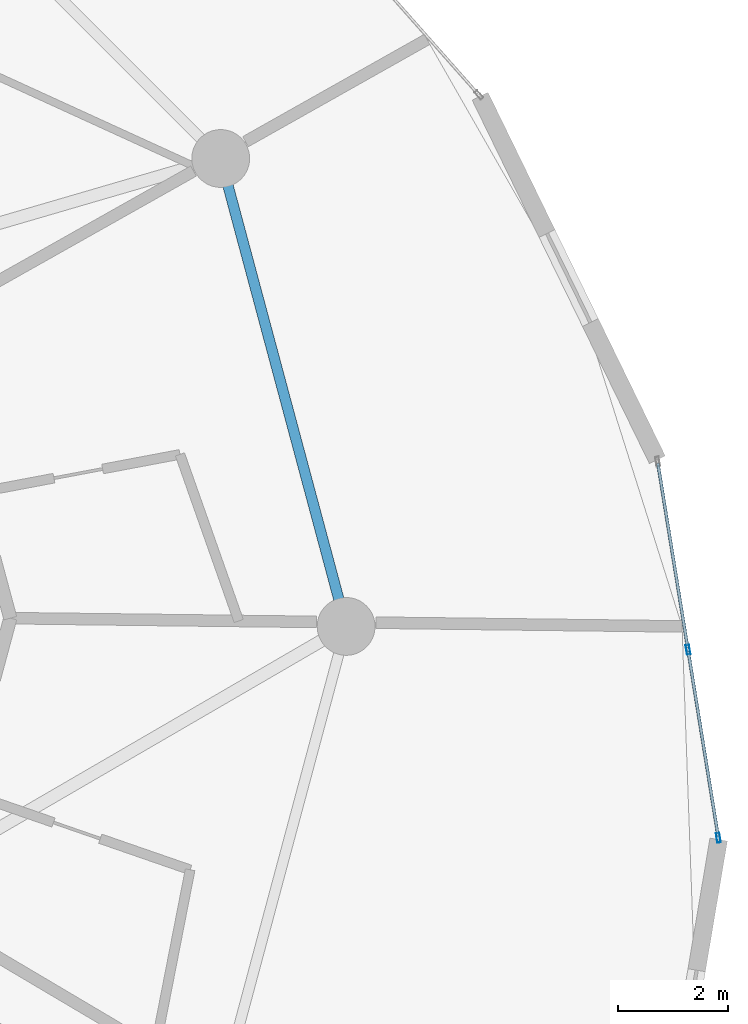
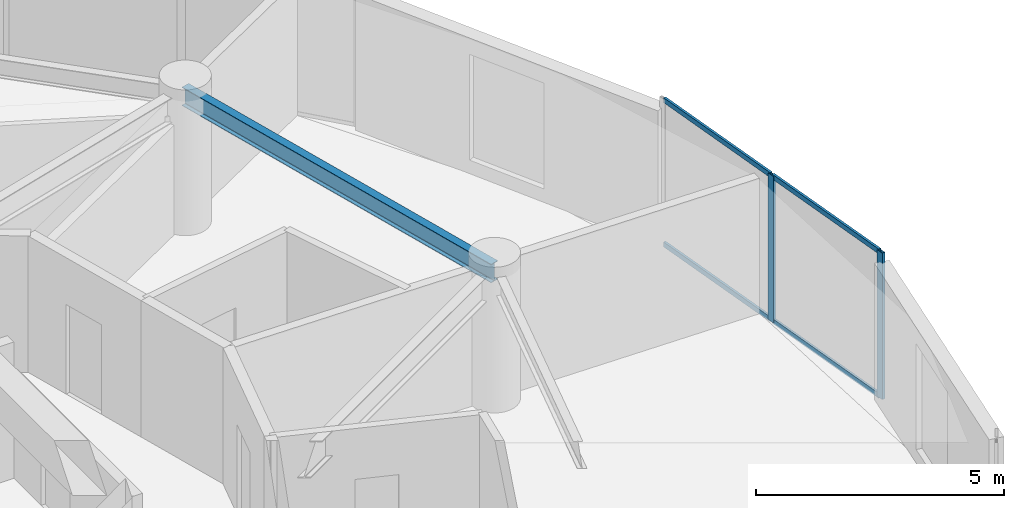
# One storey, part 8 of 20: 6 members, 1 beam, 1 element without a shape of its own.
"""IFC4 building model written with IfcOpenShell, lengths in metres."""

from ifc_helpers import new_model, si_unit, direction, frame, origin, origin_2d, place, context, subcontext, project, spatial, hollow_rectangle, i_section, extrude, source, transform, mapped, material, layer, layer_set, material_profile, profile_set, type_object, element, aggregate, save


model = new_model("IFC4")

# Units and contexts
model_context = context("Model", 3, precision=1e-05, world=origin(), true_north=direction((0.0, 1.0)))
body_context = subcontext(model_context, "Body", "Model", "MODEL_VIEW")
ifc_project = project(units=[si_unit("LENGTHUNIT", "METRE"), si_unit("AREAUNIT", "SQUARE_METRE"), si_unit("VOLUMEUNIT", "CUBIC_METRE"), si_unit("PLANEANGLEUNIT", "RADIAN"), si_unit("MASSUNIT", "GRAM", prefix="KILO")], contexts=[model_context])

# Site, building, storey
site_placement = place(None, origin())
site = spatial("IfcSite", under=ifc_project, at=site_placement, CompositionType="ELEMENT")
building_placement = place(site_placement, origin())
building = spatial("IfcBuilding", under=site, at=building_placement, Name="Solvirekh Grand Hotel", CompositionType="ELEMENT")
storey_placement = place(building_placement, frame((0.0, 0.0, 135.0)))
storey = spatial("IfcBuildingStorey", under=building, at=storey_placement, Name="L34", CompositionType="ELEMENT", Elevation=135.0)

# Beam
ifc_material_1 = material(Name="Steel S355", Category="steel")
ifc_material_profile_1 = material_profile(ifc_material_1, i_section(OverallWidth=0.18994140625, OverallDepth=0.45703125, WebThickness=0.009033203125, FlangeThickness=0.013916015625, FilletRadius=0.012939453125, at=origin_2d()), Name="W460X74")
ifc_profile_set_1 = profile_set([ifc_material_profile_1], Name="Steel S355")
beam_type = type_object("IfcBeamType", Name="Spandrel_Ring_W460", PredefinedType="SPANDREL", material=ifc_profile_set_1)
beam_placement = place(storey_placement, frame((17.0, 0.0, 3.12109375), z_axis=(-0.258872908946, 0.965911391906, 0.0), x_axis=(-0.965911391906, -0.258872908946, 0.0)))
element("IfcBeam", 1, at=beam_placement, inside=storey, type_object=beam_type, Name="L34 perimeter spandrel beam 1", PredefinedType="SPANDREL", context=body_context, shape_type="SweptSolid", body=[
    extrude(i_section(OverallWidth=0.18994140625, OverallDepth=0.45703125, WebThickness=0.009033203125, FlangeThickness=0.013916015625, FilletRadius=0.012939453125, at=origin_2d()), origin(), (0.0, 0.0, 1.0), 8.800048828125),
])

# Curtain wall, members
ifc_material_2 = material(Name="Anodized Bronze Aluminium 6063-T6", Category="aluminium")
ifc_layer = layer(ifc_material_2, 0.175048828125)
ifc_layer_set = layer_set([ifc_layer], Name="Anodized Bronze Aluminium 6063-T6")
curtain_wall_type = type_object("IfcCurtainWallType", Name="CW_Sys3_MidZoneFlushBronzeCW", PredefinedType="NOTDEFINED", material=ifc_layer_set)
curtain_wall_placement = place(storey_placement, origin())
curtain_wall = element("IfcCurtainWall", 2, at=curtain_wall_placement, inside=storey, type_object=curtain_wall_type, Name="L34 unitised bronze-glass curtain wall CW-L34-C03", PredefinedType="NOTDEFINED")
ifc_material_profile_2 = material_profile(ifc_material_2, hollow_rectangle(XDim=0.054931640625, YDim=0.1201171875, WallThickness=0.00390625, at=origin_2d()), Name="ALU RHS 120X55X4")
ifc_profile_set_2 = profile_set([ifc_material_profile_2], Name="Anodized Bronze Aluminium 6063-T6")
member_type_1 = type_object("IfcMemberType", Name="CWTransom_Sys3", PredefinedType="USERDEFINED", material=ifc_profile_set_2)
shared_shape_1 = source(origin(), body_context, "Body", "SweptSolid", [
    extrude(hollow_rectangle(XDim=0.054931640625, YDim=0.1201171875, WallThickness=0.00390625, at=origin_2d()), origin(), (0.0, 0.0, 1.0), 3.397216796875),
])
member_1_placement = place(storey_placement, frame((23.757568359375, -3.807861328125, 0.027587890625), z_axis=(-0.159537451158, 0.987191876829, 0.0), x_axis=(-0.987191876829, -0.159537451158, 0.0)))
member_1 = element("IfcMember", 3, at=member_1_placement, type_object=member_type_1, Name="U03 transom 1.1", ObjectType="TRANSOM", PredefinedType="USERDEFINED", context=body_context, shape_type="MappedRepresentation", body=[
    mapped(shared_shape_1, transform((0.0, 0.0, 0.0), x_axis=(1.0, 0.0, 0.0), y_axis=(0.0, 1.0, 0.0), z_axis=(0.0, 0.0, 1.0), scale=1.0)),
])
member_2_placement = place(storey_placement, frame((23.757568359375, -3.807861328125, 3.572509765625), z_axis=(-0.159537451158, 0.987191876829, 0.0), x_axis=(-0.987191876829, -0.159537451158, 0.0)))
member_2 = element("IfcMember", 4, at=member_2_placement, type_object=member_type_1, Name="U03 transom 1.2", ObjectType="TRANSOM", PredefinedType="USERDEFINED", context=body_context, shape_type="MappedRepresentation", body=[
    mapped(shared_shape_1, transform((0.0, 0.0, 0.0), x_axis=(1.0, 0.0, 0.0), y_axis=(0.0, 1.0, 0.0), z_axis=(0.0, 0.0, 1.0), scale=1.0)),
])
member_3_placement = place(storey_placement, frame((23.205322265625, -0.389892578125, 0.027587890625), z_axis=(-0.159537451158, 0.987191876829, 0.0), x_axis=(-0.987191876829, -0.159537451158, 0.0)))
member_3 = element("IfcMember", 5, at=member_3_placement, type_object=member_type_1, Name="U03 transom 2.1", ObjectType="TRANSOM", PredefinedType="USERDEFINED", context=body_context, shape_type="MappedRepresentation", body=[
    mapped(shared_shape_1, transform((0.0, 0.0, 0.0), x_axis=(1.0, 0.0, 0.0), y_axis=(0.0, 1.0, 0.0), z_axis=(0.0, 0.0, 1.0), scale=1.0)),
])
member_4_placement = place(storey_placement, frame((23.205322265625, -0.389892578125, 3.572509765625), z_axis=(-0.159537451158, 0.987191876829, 0.0), x_axis=(-0.987191876829, -0.159537451158, 0.0)))
member_4 = element("IfcMember", 6, at=member_4_placement, type_object=member_type_1, Name="U03 transom 2.2", ObjectType="TRANSOM", PredefinedType="USERDEFINED", context=body_context, shape_type="MappedRepresentation", body=[
    mapped(shared_shape_1, transform((0.0, 0.0, 0.0), x_axis=(1.0, 0.0, 0.0), y_axis=(0.0, 1.0, 0.0), z_axis=(0.0, 0.0, 1.0), scale=1.0)),
])
ifc_material_profile_3 = material_profile(ifc_material_2, hollow_rectangle(XDim=0.06494140625, YDim=0.175048828125, WallThickness=0.0048828125, at=origin_2d()), Name="ALU RHS 175X65X5")
ifc_profile_set_3 = profile_set([ifc_material_profile_3], Name="Anodized Bronze Aluminium 6063-T6")
member_type_2 = type_object("IfcMemberType", Name="CWMullion_Sys3", PredefinedType="MULLION", material=ifc_profile_set_3)
shared_shape_2 = source(origin(), body_context, "Body", "SweptSolid", [
    extrude(hollow_rectangle(XDim=0.06494140625, YDim=0.175048828125, WallThickness=0.0048828125, at=origin_2d()), origin(), (0.0, 0.0, 1.0), 3.60009765625),
])
member_5_placement = place(storey_placement, frame((23.7626953125, -3.83984375, 0.0), z_axis=(0.0, 0.0, 1.0), x_axis=(-0.987193918935, -0.159524814429, 0.0)))
member_5 = element("IfcMember", 7, at=member_5_placement, type_object=member_type_2, Name="U03 mullion 1", PredefinedType="MULLION", context=body_context, shape_type="MappedRepresentation", body=[
    mapped(shared_shape_2, transform((0.0, 0.0, 0.0), x_axis=(1.0, 0.0, 0.0), y_axis=(0.0, 1.0, 0.0), z_axis=(0.0, 0.0, 1.0), scale=1.0)),
])
member_6_placement = place(storey_placement, frame((23.21044921875, -0.422119140625, 0.0), z_axis=(0.0, 0.0, 1.0), x_axis=(-0.987193918935, -0.159524814429, 0.0)))
member_6 = element("IfcMember", 8, at=member_6_placement, type_object=member_type_2, Name="U03 mullion 2", PredefinedType="MULLION", context=body_context, shape_type="MappedRepresentation", body=[
    mapped(shared_shape_2, transform((0.0, 0.0, 0.0), x_axis=(1.0, 0.0, 0.0), y_axis=(0.0, 1.0, 0.0), z_axis=(0.0, 0.0, 1.0), scale=1.0)),
])
aggregate(curtain_wall, [member_5, member_6, member_1, member_2, member_3, member_4])

save(model, "model.ifc")
